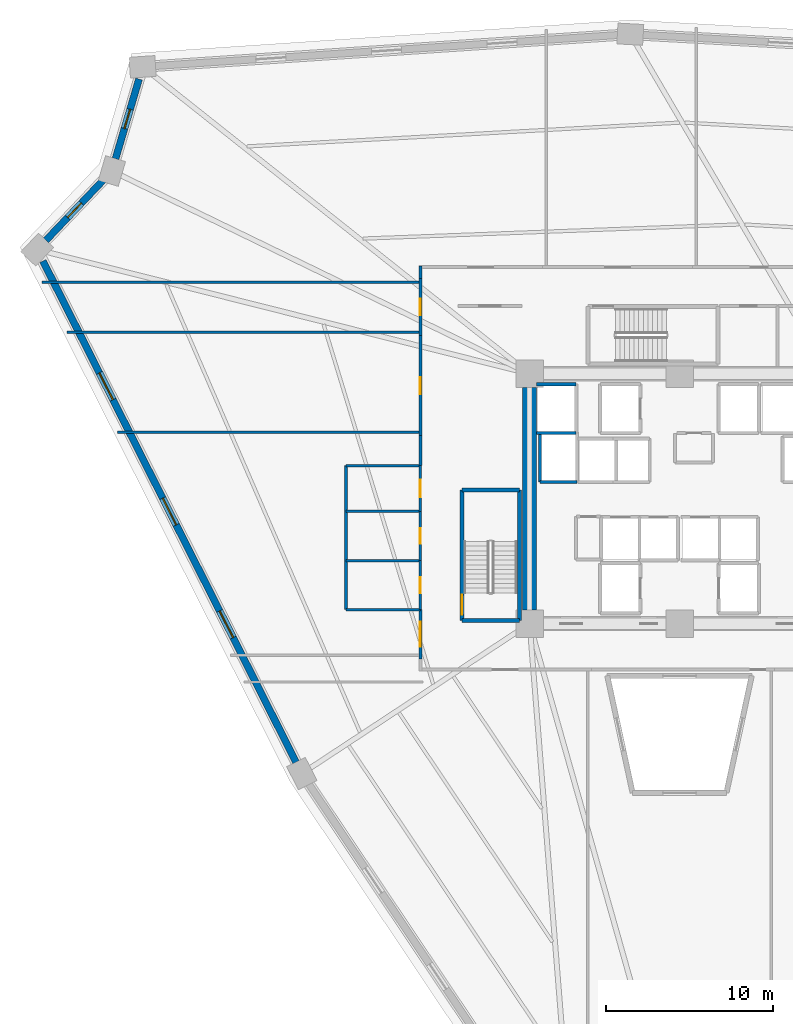
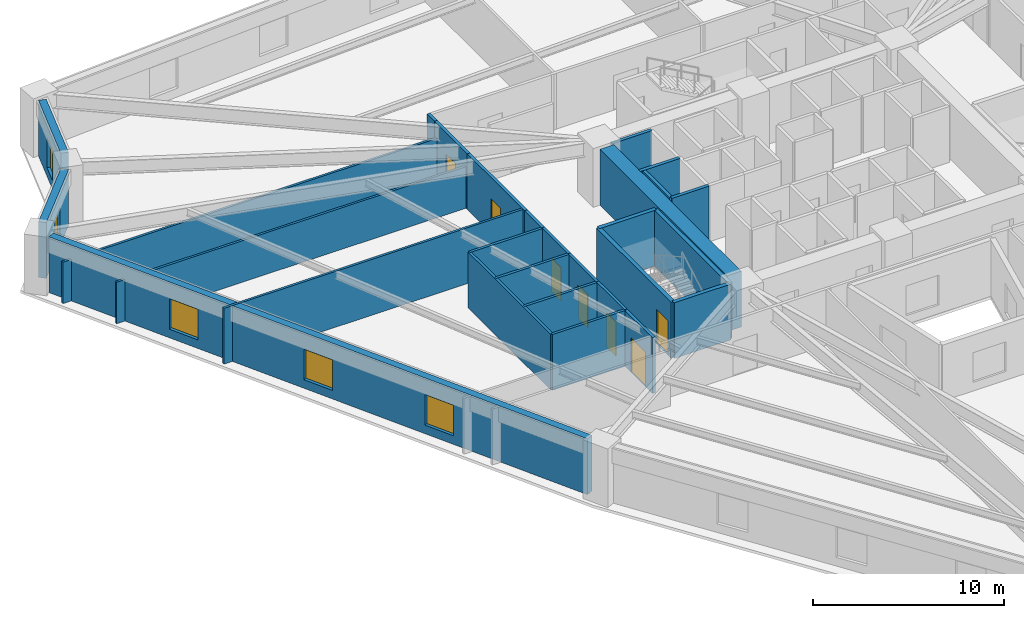
# One storey, part 4 of 9: 28 walls, 7 doors, 5 windows, 12 openings.
"""IFC4 building model written with IfcOpenShell, lengths in metres."""

from ifc_helpers import new_model, si_unit, direction, frame, frame_2d, origin, place, context, subcontext, project, spatial, rectangle, extrude, source, transform, mapped, material, layer, layer_set, type_object, element, fill, save


model = new_model("IFC4")

# Units and contexts
model_context = context("Model", 3, precision=1e-05, world=origin(), true_north=direction((0.0, 1.0)))
body_context = subcontext(model_context, "Body", "Model", "MODEL_VIEW")
ifc_project = project(units=[si_unit("LENGTHUNIT", "METRE"), si_unit("AREAUNIT", "SQUARE_METRE"), si_unit("VOLUMEUNIT", "CUBIC_METRE"), si_unit("PLANEANGLEUNIT", "RADIAN"), si_unit("MASSUNIT", "GRAM", prefix="KILO")], contexts=[model_context])

# Site, building, storey
site_placement = place(None, origin())
site = spatial("IfcSite", under=ifc_project, at=site_placement, CompositionType="ELEMENT")
building_placement = place(site_placement, origin())
building = spatial("IfcBuilding", under=site, at=building_placement, Name="Liaohun Quay Tower", CompositionType="ELEMENT")
storey_placement = place(building_placement, frame((0.0, 0.0, 55.5)))
storey = spatial("IfcBuildingStorey", under=building, at=storey_placement, Name="L14", CompositionType="ELEMENT", Elevation=55.5)

# Wall
ifc_material_1 = material(Name="Concrete C60", Category="concrete")
ifc_layer_1 = layer(ifc_material_1, 0.85009765625, Name="Concrete C60", Category="concrete")
ifc_layer_set_1 = layer_set([ifc_layer_1], Name="Concrete C60")
wall_type_1 = type_object("IfcWallType", Name="WAL-COR-Z1", PredefinedType="SHEAR", material=ifc_layer_set_1)
wall_1_placement = place(storey_placement, frame((51.0, 47.324951171875, 0.0), z_axis=(0.0, 0.0, 1.0), x_axis=(0.0, 1.0, 0.0)))
element("IfcWall", 1, at=wall_1_placement, inside=storey, type_object=wall_type_1, Name="L14 Central Core Shear Wall W", PredefinedType="SHEAR", context=body_context, shape_type="SweptSolid", body=[
    extrude(rectangle(XDim=13.35009765625, YDim=0.85009765625, at=frame_2d((6.675048828125, 0.0))), origin(), (0.0, 0.0, 1.0), 3.570068359375),
])

# Wall, opening, window
ifc_material_2 = material(Name="Precast concrete C50 insulated sandwich", Category="concrete")
ifc_layer_2 = layer(ifc_material_2, 0.419921875, Name="Precast concrete C50 insulated sandwich", Category="concrete")
ifc_layer_set_2 = layer_set([ifc_layer_2], Name="Precast concrete C50 insulated sandwich")
wall_type_2 = type_object("IfcWallType", Name="WAL-EXT-Z12", PredefinedType="SOLIDWALL", material=ifc_layer_set_2)
wall_2_placement = place(storey_placement, frame((27.551025390625, 79.195068359375, 0.0), z_axis=(0.0, 0.0, 1.0), x_axis=(-0.282928947313, -0.959140871182, 0.0)))
wall_2 = element("IfcWall", 2, at=wall_2_placement, inside=storey, type_object=wall_type_2, Name="L14 Brutalist Precast Pier Wall 08", PredefinedType="SOLIDWALL", context=body_context, shape_type="SweptSolid", body=[
    extrude(rectangle(XDim=4.990966796875, YDim=0.419921875, at=frame_2d((2.49560546875, 0.0))), origin(), (0.0, 0.0, 1.0), 3.570068359375),
])
shared_shape_1 = source(origin(), body_context, "Body", "SweptSolid", [
    extrude(rectangle(XDim=1.199951171875, YDim=1.89990234375, at=frame_2d((0.60009765625, 0.949951171875))), frame((0.0, 0.219970703125, 0.0), z_axis=(0.0, -1.0, 0.0), x_axis=(1.0, 0.0, 0.0)), (0.0, 0.0, 1.0), 0.43994140625),
])
opening_1_placement = place(wall_2_placement, frame((1.89501953125, 0.0, 0.550048828125)))
opening_1 = element("IfcOpeningElement", 3, at=opening_1_placement, cuts=wall_2, Name="Opening W05", PredefinedType="OPENING", context=body_context, shape_type="MappedRepresentation", body=[
    mapped(shared_shape_1, transform((0.0, 0.0, 0.0), x_axis=(1.0, 0.0, 0.0), y_axis=(0.0, 1.0, 0.0), z_axis=(0.0, 0.0, 1.0), scale=1.0)),
])
ifc_material_3 = material(Name="Triple Low-E corner notch glazing", Category="glass")
window_type_1 = type_object("IfcWindowType", Name="WIN-NOTCH", PartitioningType="SINGLE_PANEL", PredefinedType="WINDOW", material=ifc_material_3)
shared_shape_2 = source(origin(), body_context, "Body", "SweptSolid", [
    extrude(rectangle(XDim=1.199951171875, YDim=1.89990234375, at=frame_2d((0.60009765625, 0.949951171875))), frame((0.0, 0.030029296875, 0.0), z_axis=(0.0, -1.0, 0.0), x_axis=(1.0, 0.0, 0.0)), (0.0, 0.0, 1.0), 0.06005859375),
])
window_1_placement = place(opening_1_placement, origin())
window_1 = element("IfcWindow", 4, at=window_1_placement, inside=storey, type_object=window_type_1, Name="L14 Corner Notch Window W05-08", OverallHeight=1.89990234375, OverallWidth=1.199951171875, PartitioningType="SINGLE_PANEL", PredefinedType="WINDOW", context=body_context, shape_type="MappedRepresentation", body=[
    mapped(shared_shape_2, transform((0.0, 0.0, 0.0), x_axis=(1.0, 0.0, 0.0), y_axis=(0.0, 1.0, 0.0), z_axis=(0.0, 0.0, 1.0), scale=1.0)),
])
fill(opening_1, window_1)

wall_3_placement = place(storey_placement, frame((25.39599609375, 73.1201171875, 0.0), z_axis=(0.0, 0.0, 1.0), x_axis=(-0.689329780071, -0.724447689145, 0.0)))
wall_3 = element("IfcWall", 5, at=wall_3_placement, inside=storey, type_object=wall_type_2, Name="L14 Brutalist Precast Pier Wall 09", PredefinedType="SOLIDWALL", context=body_context, shape_type="SweptSolid", body=[
    extrude(rectangle(XDim=4.984619140625, YDim=0.419921875, at=frame_2d((2.4921875, 0.0))), origin(), (0.0, 0.0, 1.0), 3.570068359375),
])
opening_2_placement = place(wall_3_placement, frame((1.89208984375, 0.0, 0.550048828125)))
opening_2 = element("IfcOpeningElement", 6, at=opening_2_placement, cuts=wall_3, Name="Opening W05", PredefinedType="OPENING", context=body_context, shape_type="MappedRepresentation", body=[
    mapped(shared_shape_1, transform((0.0, 0.0, 0.0), x_axis=(1.0, 0.0, 0.0), y_axis=(0.0, 1.0, 0.0), z_axis=(0.0, 0.0, 1.0), scale=1.0)),
])
window_2_placement = place(opening_2_placement, origin())
window_2 = element("IfcWindow", 7, at=window_2_placement, inside=storey, type_object=window_type_1, Name="L14 Corner Notch Window W05-09", OverallHeight=1.89990234375, OverallWidth=1.199951171875, PartitioningType="SINGLE_PANEL", PredefinedType="WINDOW", context=body_context, shape_type="MappedRepresentation", body=[
    mapped(shared_shape_2, transform((0.0, 0.0, 0.0), x_axis=(1.0, 0.0, 0.0), y_axis=(0.0, 1.0, 0.0), z_axis=(0.0, 0.0, 1.0), scale=1.0)),
])
fill(opening_2, window_2)

# Wall, openings, windows
wall_4_placement = place(storey_placement, frame((21.778076171875, 68.27197265625, 0.0), z_axis=(0.0, 0.0, 1.0), x_axis=(0.45088567069, -0.892581711647, 0.0)))
wall_4 = element("IfcWall", 8, at=wall_4_placement, inside=storey, type_object=wall_type_2, Name="L14 Brutalist Precast Pier Wall 10", PredefinedType="SOLIDWALL", context=body_context, shape_type="SweptSolid", body=[
    extrude(rectangle(XDim=33.71337890625, YDim=0.419921875, at=frame_2d((16.856689453125, 0.0))), origin(), (0.0, 0.0, 1.0), 3.570068359375),
])
shared_shape_3 = source(origin(), body_context, "Body", "SweptSolid", [
    extrude(rectangle(XDim=1.800048828125, YDim=1.949951171875, at=frame_2d((0.89990234375, 0.97509765625))), frame((0.0, 0.219970703125, 0.0), z_axis=(0.0, -1.0, 0.0), x_axis=(1.0, 0.0, 0.0)), (0.0, 0.0, 1.0), 0.43994140625),
])
opening_3_placement = place(wall_4_placement, frame((7.528076171875, 0.0, 0.550048828125)))
opening_3 = element("IfcOpeningElement", 9, at=opening_3_placement, cuts=wall_4, Name="Opening W01", PredefinedType="OPENING", context=body_context, shape_type="MappedRepresentation", body=[
    mapped(shared_shape_3, transform((0.0, 0.0, 0.0), x_axis=(1.0, 0.0, 0.0), y_axis=(0.0, 1.0, 0.0), z_axis=(0.0, 0.0, 1.0), scale=1.0)),
])
opening_4_placement = place(wall_4_placement, frame((15.95703125, 0.0, 0.550048828125)))
opening_4 = element("IfcOpeningElement", 10, at=opening_4_placement, cuts=wall_4, Name="Opening W01", PredefinedType="OPENING", context=body_context, shape_type="MappedRepresentation", body=[
    mapped(shared_shape_3, transform((0.0, 0.0, 0.0), x_axis=(1.0, 0.0, 0.0), y_axis=(0.0, 1.0, 0.0), z_axis=(0.0, 0.0, 1.0), scale=1.0)),
])
opening_5_placement = place(wall_4_placement, frame((23.534912109375, 0.0, 0.550048828125)))
opening_5 = element("IfcOpeningElement", 11, at=opening_5_placement, cuts=wall_4, Name="Opening W01", PredefinedType="OPENING", context=body_context, shape_type="MappedRepresentation", body=[
    mapped(shared_shape_3, transform((0.0, 0.0, 0.0), x_axis=(1.0, 0.0, 0.0), y_axis=(0.0, 1.0, 0.0), z_axis=(0.0, 0.0, 1.0), scale=1.0)),
])
ifc_material_4 = material(Name="Triple Low-E argon glazing in thermally broken aluminium", Category="aluminium")
window_type_2 = type_object("IfcWindowType", Name="WIN-PUN-Z1", PartitioningType="DOUBLE_PANEL_VERTICAL", PredefinedType="WINDOW", material=ifc_material_4)
shared_shape_4 = source(origin(), body_context, "Body", "SweptSolid", [
    extrude(rectangle(XDim=1.800048828125, YDim=1.949951171875, at=frame_2d((0.89990234375, 0.97509765625))), frame((0.0, 0.030029296875, 0.0), z_axis=(0.0, -1.0, 0.0), x_axis=(1.0, 0.0, 0.0)), (0.0, 0.0, 1.0), 0.06005859375),
])
window_3_placement = place(opening_3_placement, origin())
window_3 = element("IfcWindow", 12, at=window_3_placement, inside=storey, type_object=window_type_2, Name="L14 Recessed Cold-Climate Punched Window 10-1", OverallHeight=1.949951171875, OverallWidth=1.800048828125, PartitioningType="DOUBLE_PANEL_VERTICAL", PredefinedType="WINDOW", context=body_context, shape_type="MappedRepresentation", body=[
    mapped(shared_shape_4, transform((0.0, 0.0, 0.0), x_axis=(1.0, 0.0, 0.0), y_axis=(0.0, 1.0, 0.0), z_axis=(0.0, 0.0, 1.0), scale=1.0)),
])
fill(opening_3, window_3)
window_4_placement = place(opening_4_placement, origin())
window_4 = element("IfcWindow", 13, at=window_4_placement, inside=storey, type_object=window_type_2, Name="L14 Recessed Cold-Climate Punched Window 10-2", OverallHeight=1.949951171875, OverallWidth=1.800048828125, PartitioningType="DOUBLE_PANEL_VERTICAL", PredefinedType="WINDOW", context=body_context, shape_type="MappedRepresentation", body=[
    mapped(shared_shape_4, transform((0.0, 0.0, 0.0), x_axis=(1.0, 0.0, 0.0), y_axis=(0.0, 1.0, 0.0), z_axis=(0.0, 0.0, 1.0), scale=1.0)),
])
fill(opening_4, window_4)
window_5_placement = place(opening_5_placement, origin())
window_5 = element("IfcWindow", 14, at=window_5_placement, inside=storey, type_object=window_type_2, Name="L14 Recessed Cold-Climate Punched Window 10-3", OverallHeight=1.949951171875, OverallWidth=1.800048828125, PartitioningType="DOUBLE_PANEL_VERTICAL", PredefinedType="WINDOW", context=body_context, shape_type="MappedRepresentation", body=[
    mapped(shared_shape_4, transform((0.0, 0.0, 0.0), x_axis=(1.0, 0.0, 0.0), y_axis=(0.0, 1.0, 0.0), z_axis=(0.0, 0.0, 1.0), scale=1.0)),
])
fill(opening_5, window_5)

# Wall, opening, door
ifc_material_5 = material(Name="Autoclaved aerated concrete blockwork", Category="masonry")
ifc_layer_3 = layer(ifc_material_5, 0.179931640625, Name="Autoclaved aerated concrete blockwork", Category="masonry")
ifc_layer_set_3 = layer_set([ifc_layer_3], Name="Autoclaved aerated concrete blockwork")
wall_type_3 = type_object("IfcWallType", Name="WAL-PRT-COR", PredefinedType="PARTITIONING", material=ifc_layer_set_3)
wall_5_placement = place(storey_placement, frame((44.43994140625, 63.784912109375, 0.0), z_axis=(0.0, 0.0, 1.0), x_axis=(0.0, 1.0, 0.0)))
wall_5 = element("IfcWall", 15, at=wall_5_placement, inside=storey, type_object=wall_type_3, Name="L14 Interior Partition Wall 016", PredefinedType="PARTITIONING", context=body_context, shape_type="SweptSolid", body=[
    extrude(rectangle(XDim=3.43017578125, YDim=0.179931640625, at=frame_2d((1.715087890625, 0.0))), origin(), (0.0, 0.0, 1.0), 3.570068359375),
])
shared_shape_5 = source(origin(), body_context, "Body", "SweptSolid", [
    extrude(rectangle(XDim=1.0, YDim=2.199951171875, at=frame_2d((0.5, 1.10009765625))), frame((0.0, 0.099853515625, 0.0), z_axis=(0.0, -1.0, 0.0), x_axis=(1.0, 0.0, 0.0)), (0.0, 0.0, 1.0), 0.199951171875),
])
opening_6_placement = place(wall_5_placement, frame((1.215087890625, 0.0, 0.0)))
opening_6 = element("IfcOpeningElement", 16, at=opening_6_placement, cuts=wall_5, Name="Opening OD1", PredefinedType="OPENING", context=body_context, shape_type="MappedRepresentation", body=[
    mapped(shared_shape_5, transform((0.0, 0.0, 0.0), x_axis=(1.0, 0.0, 0.0), y_axis=(0.0, 1.0, 0.0), z_axis=(0.0, 0.0, 1.0), scale=1.0)),
])
ifc_material_6 = material(Name="Solid-core oak veneer timber leaf in steel frame", Category="steel")
door_type_1 = type_object("IfcDoorType", Name="DOR-OFF-1000", OperationType="NOTDEFINED", PredefinedType="DOOR", material=ifc_material_6)
shared_shape_6 = source(origin(), body_context, "Body", "SweptSolid", [
    extrude(rectangle(XDim=1.0, YDim=2.199951171875, at=frame_2d((0.5, 1.10009765625))), frame((0.0, 0.02490234375, 0.0), z_axis=(0.0, -1.0, 0.0), x_axis=(1.0, 0.0, 0.0)), (0.0, 0.0, 1.0), 0.050048828125),
])
door_1_placement = place(opening_6_placement, origin())
door_1 = element("IfcDoor", 17, at=door_1_placement, inside=storey, type_object=door_type_1, Name="L14 Architectural Design Studio 07 Door", OperationType="SINGLE_SWING_RIGHT", OverallHeight=2.199951171875, OverallWidth=1.0, PredefinedType="DOOR", context=body_context, shape_type="MappedRepresentation", body=[
    mapped(shared_shape_6, transform((0.0, 0.0, 0.0), x_axis=(1.0, 0.0, 0.0), y_axis=(0.0, 1.0, 0.0), z_axis=(0.0, 0.0, 1.0), scale=1.0)),
])
fill(opening_6, door_1)

wall_6_placement = place(storey_placement, frame((44.43994140625, 57.784912109375, 0.0), z_axis=(0.0, 0.0, 1.0), x_axis=(0.0, 1.0, 0.0)))
wall_6 = element("IfcWall", 18, at=wall_6_placement, inside=storey, type_object=wall_type_3, Name="L14 Interior Partition Wall 017", PredefinedType="PARTITIONING", context=body_context, shape_type="SweptSolid", body=[
    extrude(rectangle(XDim=6.0, YDim=0.179931640625, at=frame_2d((3.0, 0.0))), origin(), (0.0, 0.0, 1.0), 3.570068359375),
])
opening_7_placement = place(wall_6_placement, frame((2.5, 0.0, 0.0)))
opening_7 = element("IfcOpeningElement", 19, at=opening_7_placement, cuts=wall_6, Name="Opening OD1", PredefinedType="OPENING", context=body_context, shape_type="MappedRepresentation", body=[
    mapped(shared_shape_5, transform((0.0, 0.0, 0.0), x_axis=(1.0, 0.0, 0.0), y_axis=(0.0, 1.0, 0.0), z_axis=(0.0, 0.0, 1.0), scale=1.0)),
])
door_2_placement = place(opening_7_placement, origin())
door_2 = element("IfcDoor", 20, at=door_2_placement, inside=storey, type_object=door_type_1, Name="L14 Digital Prototyping Laboratory 08 Door", OperationType="SINGLE_SWING_LEFT", OverallHeight=2.199951171875, OverallWidth=1.0, PredefinedType="DOOR", context=body_context, shape_type="MappedRepresentation", body=[
    mapped(shared_shape_6, transform((0.0, 0.0, 0.0), x_axis=(1.0, 0.0, 0.0), y_axis=(0.0, 1.0, 0.0), z_axis=(0.0, 0.0, 1.0), scale=1.0)),
])
fill(opening_7, door_2)

wall_7_placement = place(storey_placement, frame((44.43994140625, 44.385009765625, 0.0), z_axis=(0.0, 0.0, 1.0), x_axis=(0.0, 1.0, 0.0)))
wall_7 = element("IfcWall", 21, at=wall_7_placement, inside=storey, type_object=wall_type_3, Name="L14 Interior Partition Wall 018", PredefinedType="PARTITIONING", context=body_context, shape_type="SweptSolid", body=[
    extrude(rectangle(XDim=2.955078125, YDim=0.179931640625, at=frame_2d((1.4775390625, 0.0))), origin(), (0.0, 0.0, 1.0), 3.570068359375),
])
shared_shape_7 = source(origin(), body_context, "Body", "SweptSolid", [
    extrude(rectangle(XDim=1.5, YDim=2.199951171875, at=frame_2d((0.75, 1.10009765625))), frame((0.0, 0.099853515625, 0.0), z_axis=(0.0, -1.0, 0.0), x_axis=(1.0, 0.0, 0.0)), (0.0, 0.0, 1.0), 0.199951171875),
])
opening_8_placement = place(wall_7_placement, frame((0.72802734375, 0.0, 0.0)))
opening_8 = element("IfcOpeningElement", 22, at=opening_8_placement, cuts=wall_7, Name="Opening OD2", PredefinedType="OPENING", context=body_context, shape_type="MappedRepresentation", body=[
    mapped(shared_shape_7, transform((0.0, 0.0, 0.0), x_axis=(1.0, 0.0, 0.0), y_axis=(0.0, 1.0, 0.0), z_axis=(0.0, 0.0, 1.0), scale=1.0)),
])
ifc_material_7 = material(Name="Acoustic oak veneer double door")
door_type_2 = type_object("IfcDoorType", Name="DOR-OFF-1500", OperationType="DOUBLE_DOOR_SINGLE_SWING", PredefinedType="DOOR", material=ifc_material_7)
shared_shape_8 = source(origin(), body_context, "Body", "SweptSolid", [
    extrude(rectangle(XDim=1.5, YDim=2.199951171875, at=frame_2d((0.75, 1.10009765625))), frame((0.0, 0.02490234375, 0.0), z_axis=(0.0, -1.0, 0.0), x_axis=(1.0, 0.0, 0.0)), (0.0, 0.0, 1.0), 0.050048828125),
])
door_3_placement = place(opening_8_placement, origin())
door_3 = element("IfcDoor", 23, at=door_3_placement, inside=storey, type_object=door_type_2, Name="L14 Records Archive Store 09 Door", OperationType="DOUBLE_DOOR_SINGLE_SWING", OverallHeight=2.199951171875, OverallWidth=1.5, PredefinedType="DOOR", context=body_context, shape_type="MappedRepresentation", body=[
    mapped(shared_shape_8, transform((0.0, 0.0, 0.0), x_axis=(1.0, 0.0, 0.0), y_axis=(0.0, 1.0, 0.0), z_axis=(0.0, 0.0, 1.0), scale=1.0)),
])
fill(opening_8, door_3)

# Walls
wall_8_placement = place(storey_placement, frame((44.43994140625, 67.215087890625, 0.0), z_axis=(0.0, 0.0, 1.0), x_axis=(0.0, 1.0, 0.0)))
element("IfcWall", 24, at=wall_8_placement, inside=storey, type_object=wall_type_3, Name="L14 Interior Partition Wall 037", PredefinedType="PARTITIONING", context=body_context, shape_type="SweptSolid", body=[
    extrude(rectangle(XDim=0.764892578125, YDim=0.179931640625, at=frame_2d((0.38232421875, 0.0))), origin(), (0.0, 0.0, 1.0), 3.570068359375),
])
wall_9_placement = place(storey_placement, frame((44.43994140625, 55.97998046875, 0.0), z_axis=(0.0, 0.0, 1.0), x_axis=(0.0, 1.0, 0.0)))
element("IfcWall", 25, at=wall_9_placement, inside=storey, type_object=wall_type_3, Name="L14 Interior Partition Wall 038", PredefinedType="PARTITIONING", context=body_context, shape_type="SweptSolid", body=[
    extrude(rectangle(XDim=1.804931640625, YDim=0.179931640625, at=frame_2d((0.90234375, 0.0))), origin(), (0.0, 0.0, 1.0), 3.570068359375),
])
ifc_material_8 = material(Name="Gypsum board on twin steel studs", Category="steel")
ifc_layer_4 = layer(ifc_material_8, 0.139892578125, Name="Gypsum board on twin steel studs", Category="steel")
ifc_layer_set_4 = layer_set([ifc_layer_4], Name="Gypsum board on twin steel studs")
wall_type_4 = type_object("IfcWallType", Name="WAL-PRT-OFF", PredefinedType="PARTITIONING", material=ifc_layer_set_4)
wall_10_placement = place(storey_placement, frame((44.5400390625, 58.0, 0.0), z_axis=(0.0, 0.0, 1.0), x_axis=(-1.0, 0.0, 0.0)))
element("IfcWall", 26, at=wall_10_placement, inside=storey, type_object=wall_type_4, Name="L14 Interior Partition Wall 043", PredefinedType="PARTITIONING", context=body_context, shape_type="SweptSolid", body=[
    extrude(rectangle(XDim=18.279052734375, YDim=0.139892578125, at=frame_2d((9.1396484375, 0.0))), origin(), (0.0, 0.0, 1.0), 3.570068359375),
])
wall_11_placement = place(storey_placement, frame((44.5400390625, 64.0, 0.0), z_axis=(0.0, 0.0, 1.0), x_axis=(-1.0, 0.0, 0.0)))
element("IfcWall", 27, at=wall_11_placement, inside=storey, type_object=wall_type_4, Name="L14 Interior Partition Wall 044", PredefinedType="PARTITIONING", context=body_context, shape_type="SweptSolid", body=[
    extrude(rectangle(XDim=21.31005859375, YDim=0.139892578125, at=frame_2d((10.655029296875, 0.0))), origin(), (0.0, 0.0, 1.0), 2.655029296875),
])
wall_12_placement = place(storey_placement, frame((44.5400390625, 67.0, 0.0), z_axis=(0.0, 0.0, 1.0), x_axis=(-1.0, 0.0, 0.0)))
element("IfcWall", 28, at=wall_12_placement, inside=storey, type_object=wall_type_4, Name="L14 Interior Partition Wall 045", PredefinedType="PARTITIONING", context=body_context, shape_type="SweptSolid", body=[
    extrude(rectangle(XDim=22.824951171875, YDim=0.139892578125, at=frame_2d((11.41259765625, 0.0))), origin(), (0.0, 0.0, 1.0), 2.655029296875),
])

# Wall, opening, door
ifc_material_9 = material(Name="Moisture-resistant masonry blockwork", Category="masonry")
ifc_layer_5 = layer(ifc_material_9, 0.159912109375, Name="Moisture-resistant masonry blockwork", Category="masonry")
ifc_layer_set_5 = layer_set([ifc_layer_5], Name="Moisture-resistant masonry blockwork")
wall_type_5 = type_object("IfcWallType", Name="WAL-PRT-WET", PredefinedType="PARTITIONING", material=ifc_layer_set_5)
wall_13_placement = place(storey_placement, frame((44.43994140625, 47.340087890625, 0.0), z_axis=(0.0, 0.0, 1.0), x_axis=(0.0, 1.0, 0.0)))
wall_13 = element("IfcWall", 29, at=wall_13_placement, inside=storey, type_object=wall_type_5, Name="L14 Interior Partition Wall 003", PredefinedType="PARTITIONING", context=body_context, shape_type="SweptSolid", body=[
    extrude(rectangle(XDim=2.93994140625, YDim=0.159912109375, at=frame_2d((1.469970703125, 0.0))), origin(), (0.0, 0.0, 1.0), 3.570068359375),
])
shared_shape_9 = source(origin(), body_context, "Body", "SweptSolid", [
    extrude(rectangle(XDim=0.949951171875, YDim=2.14990234375, at=frame_2d((0.47509765625, 1.074951171875))), frame((0.0, 0.08984375, 0.0), z_axis=(0.0, -1.0, 0.0), x_axis=(1.0, 0.0, 0.0)), (0.0, 0.0, 1.0), 0.179931640625),
])
opening_9_placement = place(wall_13_placement, frame((0.9951171875, 0.0, 0.0)))
opening_9 = element("IfcOpeningElement", 30, at=opening_9_placement, cuts=wall_13, Name="Opening WD1", PredefinedType="OPENING", context=body_context, shape_type="MappedRepresentation", body=[
    mapped(shared_shape_9, transform((0.0, 0.0, 0.0), x_axis=(1.0, 0.0, 0.0), y_axis=(0.0, 1.0, 0.0), z_axis=(0.0, 0.0, 1.0), scale=1.0)),
])
ifc_material_10 = material(Name="Moisture-resistant laminate timber leaf", Category="wood")
door_type_3 = type_object("IfcDoorType", Name="DOR-WC-950", OperationType="NOTDEFINED", PredefinedType="DOOR", material=ifc_material_10)
shared_shape_10 = source(origin(), body_context, "Body", "SweptSolid", [
    extrude(rectangle(XDim=0.949951171875, YDim=2.14990234375, at=frame_2d((0.47509765625, 1.074951171875))), frame((0.0, 0.02490234375, 0.0), z_axis=(0.0, -1.0, 0.0), x_axis=(1.0, 0.0, 0.0)), (0.0, 0.0, 1.0), 0.050048828125),
])
door_4_placement = place(opening_9_placement, origin())
door_4 = element("IfcDoor", 31, at=door_4_placement, inside=storey, type_object=door_type_3, Name="L14 Male Restroom WC Door", OperationType="SINGLE_SWING_LEFT", OverallHeight=2.14990234375, OverallWidth=0.949951171875, PredefinedType="DOOR", context=body_context, shape_type="MappedRepresentation", body=[
    mapped(shared_shape_10, transform((0.0, 0.0, 0.0), x_axis=(1.0, 0.0, 0.0), y_axis=(0.0, 1.0, 0.0), z_axis=(0.0, 0.0, 1.0), scale=1.0)),
])
fill(opening_9, door_4)

wall_14_placement = place(storey_placement, frame((44.43994140625, 50.280029296875, 0.0), z_axis=(0.0, 0.0, 1.0), x_axis=(0.0, 1.0, 0.0)))
wall_14 = element("IfcWall", 32, at=wall_14_placement, inside=storey, type_object=wall_type_5, Name="L14 Interior Partition Wall 004", PredefinedType="PARTITIONING", context=body_context, shape_type="SweptSolid", body=[
    extrude(rectangle(XDim=2.9599609375, YDim=0.159912109375, at=frame_2d((1.47998046875, 0.0))), origin(), (0.0, 0.0, 1.0), 3.570068359375),
])
opening_10_placement = place(wall_14_placement, frame((1.0048828125, 0.0, 0.0)))
opening_10 = element("IfcOpeningElement", 33, at=opening_10_placement, cuts=wall_14, Name="Opening WD1", PredefinedType="OPENING", context=body_context, shape_type="MappedRepresentation", body=[
    mapped(shared_shape_9, transform((0.0, 0.0, 0.0), x_axis=(1.0, 0.0, 0.0), y_axis=(0.0, 1.0, 0.0), z_axis=(0.0, 0.0, 1.0), scale=1.0)),
])
door_5_placement = place(opening_10_placement, origin())
door_5 = element("IfcDoor", 34, at=door_5_placement, inside=storey, type_object=door_type_3, Name="L14 Female Restroom WC Door", OperationType="SINGLE_SWING_RIGHT", OverallHeight=2.14990234375, OverallWidth=0.949951171875, PredefinedType="DOOR", context=body_context, shape_type="MappedRepresentation", body=[
    mapped(shared_shape_10, transform((0.0, 0.0, 0.0), x_axis=(1.0, 0.0, 0.0), y_axis=(0.0, 1.0, 0.0), z_axis=(0.0, 0.0, 1.0), scale=1.0)),
])
fill(opening_10, door_5)

wall_15_placement = place(storey_placement, frame((44.43994140625, 53.239990234375, 0.0), z_axis=(0.0, 0.0, 1.0), x_axis=(0.0, 1.0, 0.0)))
wall_15 = element("IfcWall", 35, at=wall_15_placement, inside=storey, type_object=wall_type_5, Name="L14 Interior Partition Wall 005", PredefinedType="PARTITIONING", context=body_context, shape_type="SweptSolid", body=[
    extrude(rectangle(XDim=2.739990234375, YDim=0.159912109375, at=frame_2d((1.3701171875, 0.0))), origin(), (0.0, 0.0, 1.0), 3.570068359375),
])
shared_shape_11 = source(origin(), body_context, "Body", "SweptSolid", [
    extrude(rectangle(XDim=1.050048828125, YDim=2.14990234375, at=frame_2d((0.52490234375, 1.074951171875))), frame((0.0, 0.08984375, 0.0), z_axis=(0.0, -1.0, 0.0), x_axis=(1.0, 0.0, 0.0)), (0.0, 0.0, 1.0), 0.179931640625),
])
opening_11_placement = place(wall_15_placement, frame((0.844970703125, 0.0, 0.0)))
opening_11 = element("IfcOpeningElement", 36, at=opening_11_placement, cuts=wall_15, Name="Opening WD2", PredefinedType="OPENING", context=body_context, shape_type="MappedRepresentation", body=[
    mapped(shared_shape_11, transform((0.0, 0.0, 0.0), x_axis=(1.0, 0.0, 0.0), y_axis=(0.0, 1.0, 0.0), z_axis=(0.0, 0.0, 1.0), scale=1.0)),
])
ifc_material_11 = material(Name="Accessible outward-swinging laminate door")
door_type_4 = type_object("IfcDoorType", Name="DOR-AWC-1050", OperationType="NOTDEFINED", PredefinedType="DOOR", material=ifc_material_11)
shared_shape_12 = source(origin(), body_context, "Body", "SweptSolid", [
    extrude(rectangle(XDim=1.050048828125, YDim=2.14990234375, at=frame_2d((0.52490234375, 1.074951171875))), frame((0.0, 0.02490234375, 0.0), z_axis=(0.0, -1.0, 0.0), x_axis=(1.0, 0.0, 0.0)), (0.0, 0.0, 1.0), 0.050048828125),
])
door_6_placement = place(opening_11_placement, origin())
door_6 = element("IfcDoor", 37, at=door_6_placement, inside=storey, type_object=door_type_4, Name="L14 Accessible WC Door", OperationType="SINGLE_SWING_LEFT", OverallHeight=2.14990234375, OverallWidth=1.050048828125, PredefinedType="DOOR", context=body_context, shape_type="MappedRepresentation", body=[
    mapped(shared_shape_12, transform((0.0, 0.0, 0.0), x_axis=(1.0, 0.0, 0.0), y_axis=(0.0, 1.0, 0.0), z_axis=(0.0, 0.0, 1.0), scale=1.0)),
])
fill(opening_11, door_6)

# Walls
wall_16_placement = place(storey_placement, frame((39.97998046875, 47.340087890625, 0.0), z_axis=(0.0, 0.0, 1.0), x_axis=(0.0, 1.0, 0.0)))
element("IfcWall", 38, at=wall_16_placement, inside=storey, type_object=wall_type_5, Name="L14 Interior Partition Wall 029", PredefinedType="PARTITIONING", context=body_context, shape_type="SweptSolid", body=[
    extrude(rectangle(XDim=8.639892578125, YDim=0.159912109375, at=frame_2d((4.31982421875, 0.0))), origin(), (0.0, 0.0, 1.0), 3.570068359375),
])
for number, where, z_axis, x_axis, name in (
    (39, (39.97998046875, 47.340087890625, 0.0), (0.0, 0.0, 1.0), (1.0, 0.0, 0.0), "L14 Interior Partition Wall 030"),
    (40, (39.97998046875, 50.280029296875, 0.0), (0.0, 0.0, 1.0), (1.0, 0.0, 0.0), "L14 Interior Partition Wall 031"),
    (41, (39.97998046875, 53.239990234375, 0.0), (0.0, 0.0, 1.0), (1.0, 0.0, 0.0), "L14 Interior Partition Wall 032"),
    (42, (39.97998046875, 55.97998046875, 0.0), (0.0, 0.0, 1.0), (1.0, 0.0, 0.0), "L14 Interior Partition Wall 033"),
):
    element("IfcWall", number, at=place(storey_placement, frame(where, z_axis=z_axis, x_axis=x_axis)), inside=storey, type_object=wall_type_5, Name=name, PredefinedType="PARTITIONING", context=body_context, shape_type="SweptSolid", body=[
        extrude(rectangle(XDim=4.4599609375, YDim=0.159912109375, at=frame_2d((2.22998046875, 0.0))), origin(), (0.0, 0.0, 1.0), 3.570068359375),
    ])
ifc_material_12 = material(Name="Concrete C50", Category="concrete")
ifc_layer_6 = layer(ifc_material_12, 0.239990234375, Name="Concrete C50", Category="concrete")
ifc_layer_set_6 = layer_set([ifc_layer_6], Name="Concrete C50")
wall_type_6 = type_object("IfcWallType", Name="WAL-SHF-200", PredefinedType="SOLIDWALL", material=ifc_layer_set_6)
wall_17_placement = place(storey_placement, frame((46.93994140625, 46.699951171875, 0.0), z_axis=(0.0, 0.0, 1.0), x_axis=(1.0, 0.0, 0.0)))
element("IfcWall", 43, at=wall_17_placement, inside=storey, type_object=wall_type_6, Name="L14 Stairwell ST-1 Structural Core Wall S", PredefinedType="SOLIDWALL", context=body_context, shape_type="SweptSolid", body=[
    extrude(rectangle(XDim=3.43994140625, YDim=0.239990234375, at=frame_2d((1.719970703125, 0.0))), origin(), (0.0, 0.0, 1.0), 3.570068359375),
])
wall_18_placement = place(storey_placement, frame((50.3798828125, 46.699951171875, 0.0), z_axis=(0.0, 0.0, 1.0), x_axis=(0.0, 1.0, 0.0)))
element("IfcWall", 44, at=wall_18_placement, inside=storey, type_object=wall_type_6, Name="L14 Stairwell ST-1 Structural Core Wall E", PredefinedType="SOLIDWALL", context=body_context, shape_type="SweptSolid", body=[
    extrude(rectangle(XDim=7.820068359375, YDim=0.239990234375, at=frame_2d((3.91015625, 0.0))), origin(), (0.0, 0.0, 1.0), 3.570068359375),
])
wall_19_placement = place(storey_placement, frame((50.3798828125, 54.52001953125, 0.0), z_axis=(0.0, 0.0, 1.0), x_axis=(-1.0, 0.0, 0.0)))
element("IfcWall", 45, at=wall_19_placement, inside=storey, type_object=wall_type_6, Name="L14 Stairwell ST-1 Structural Core Wall N", PredefinedType="SOLIDWALL", context=body_context, shape_type="SweptSolid", body=[
    extrude(rectangle(XDim=3.43994140625, YDim=0.239990234375, at=frame_2d((1.719970703125, 0.0))), origin(), (0.0, 0.0, 1.0), 3.570068359375),
])

# Wall, opening, door
wall_20_placement = place(storey_placement, frame((46.93994140625, 54.52001953125, 0.0), z_axis=(0.0, 0.0, 1.0), x_axis=(0.0, -1.0, 0.0)))
wall_20 = element("IfcWall", 46, at=wall_20_placement, inside=storey, type_object=wall_type_6, Name="L14 Stairwell ST-1 Structural Core Wall W", PredefinedType="SOLIDWALL", context=body_context, shape_type="SweptSolid", body=[
    extrude(rectangle(XDim=7.820068359375, YDim=0.239990234375, at=frame_2d((3.91015625, 0.0))), origin(), (0.0, 0.0, 1.0), 3.570068359375),
])
shared_shape_13 = source(origin(), body_context, "Body", "SweptSolid", [
    extrude(rectangle(XDim=1.199951171875, YDim=2.199951171875, at=frame_2d((0.60009765625, 1.10009765625))), frame((0.0, 0.1298828125, 0.0), z_axis=(0.0, -1.0, 0.0), x_axis=(1.0, 0.0, 0.0)), (0.0, 0.0, 1.0), 0.260009765625),
])
opening_12_placement = place(wall_20_placement, frame((6.300048828125, 0.0, 0.0)))
opening_12 = element("IfcOpeningElement", 47, at=opening_12_placement, cuts=wall_20, Name="Opening SD1", PredefinedType="OPENING", context=body_context, shape_type="MappedRepresentation", body=[
    mapped(shared_shape_13, transform((0.0, 0.0, 0.0), x_axis=(1.0, 0.0, 0.0), y_axis=(0.0, 1.0, 0.0), z_axis=(0.0, 0.0, 1.0), scale=1.0)),
])
ifc_material_13 = material(Name="Galvanised steel fire door", Category="steel")
door_type_5 = type_object("IfcDoorType", Name="DOR-STR-1200", OperationType="NOTDEFINED", PredefinedType="DOOR", material=ifc_material_13)
shared_shape_14 = source(origin(), body_context, "Body", "SweptSolid", [
    extrude(rectangle(XDim=1.199951171875, YDim=2.199951171875, at=frame_2d((0.60009765625, 1.10009765625))), frame((0.0, 0.02490234375, 0.0), z_axis=(0.0, -1.0, 0.0), x_axis=(1.0, 0.0, 0.0)), (0.0, 0.0, 1.0), 0.050048828125),
])
door_7_placement = place(opening_12_placement, origin())
door_7 = element("IfcDoor", 48, at=door_7_placement, inside=storey, type_object=door_type_5, Name="L14 Protected Stair ST-1 Fire Door", OperationType="SINGLE_SWING_LEFT", OverallHeight=2.199951171875, OverallWidth=1.199951171875, PredefinedType="DOOR", context=body_context, shape_type="MappedRepresentation", body=[
    mapped(shared_shape_14, transform((0.0, 0.0, 0.0), x_axis=(1.0, 0.0, 0.0), y_axis=(0.0, 1.0, 0.0), z_axis=(0.0, 0.0, 1.0), scale=1.0)),
])
fill(opening_12, door_7)

# Walls
for number, where, z_axis, x_axis, name in (
    (49, (51.39990234375, 57.949951171875, 0.0), (0.0, 0.0, 1.0), (1.0, 0.0, 0.0), "L14 Lift SH-01 Hoistway Wall S"),
    (50, (53.800048828125, 60.8798828125, 0.0), (0.0, 0.0, 1.0), (-1.0, 0.0, 0.0), "L14 Lift SH-01 Hoistway Wall N"),
):
    element("IfcWall", number, at=place(storey_placement, frame(where, z_axis=z_axis, x_axis=x_axis)), inside=storey, type_object=wall_type_6, Name=name, PredefinedType="SOLIDWALL", context=body_context, shape_type="SweptSolid", body=[
        extrude(rectangle(XDim=2.400146484375, YDim=0.199951171875, at=frame_2d((1.2001953125, 0.0))), origin(), (0.0, 0.0, 1.0), 3.570068359375),
    ])
wall_21_placement = place(storey_placement, frame((51.6201171875, 55.0, 0.0), z_axis=(0.0, 0.0, 1.0), x_axis=(1.0, 0.0, 0.0)))
element("IfcWall", 51, at=wall_21_placement, inside=storey, type_object=wall_type_6, Name="L14 Lift SH-02 Hoistway Wall S", PredefinedType="SOLIDWALL", context=body_context, shape_type="SweptSolid", body=[
    extrude(rectangle(XDim=2.22998046875, YDim=0.199951171875, at=frame_2d((1.114990234375, 0.0))), origin(), (0.0, 0.0, 1.0), 3.570068359375),
])
wall_22_placement = place(storey_placement, frame((51.6201171875, 58.0, 0.0), z_axis=(0.0, 0.0, 1.0), x_axis=(0.0, -1.0, 0.0)))
element("IfcWall", 52, at=wall_22_placement, inside=storey, type_object=wall_type_6, Name="L14 Lift SH-02 Hoistway Wall W", PredefinedType="SOLIDWALL", context=body_context, shape_type="SweptSolid", body=[
    extrude(rectangle(XDim=3.0, YDim=0.199951171875, at=frame_2d((1.5, 0.0))), origin(), (0.0, 0.0, 1.0), 3.570068359375),
])

save(model, "model.ifc")
